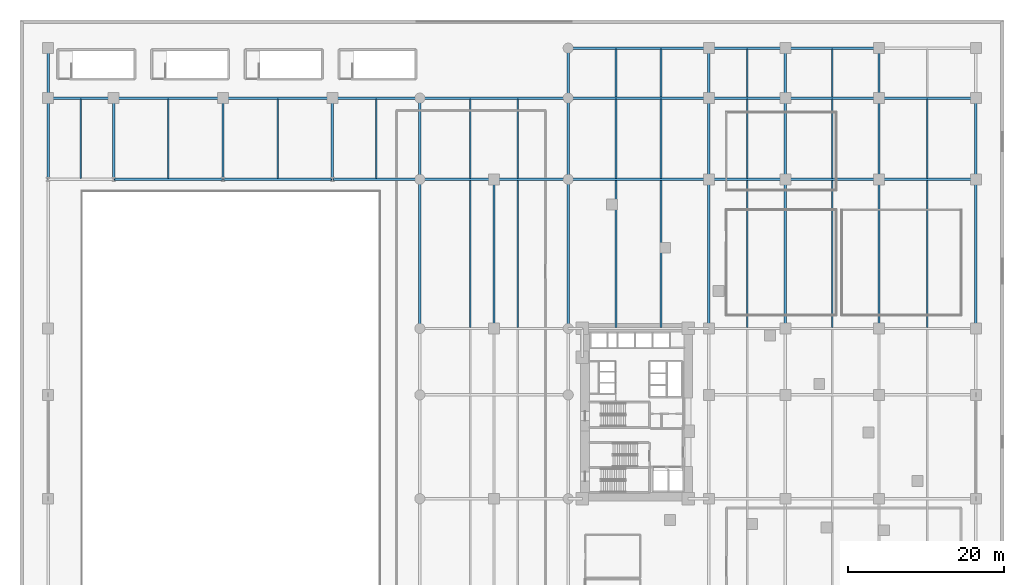
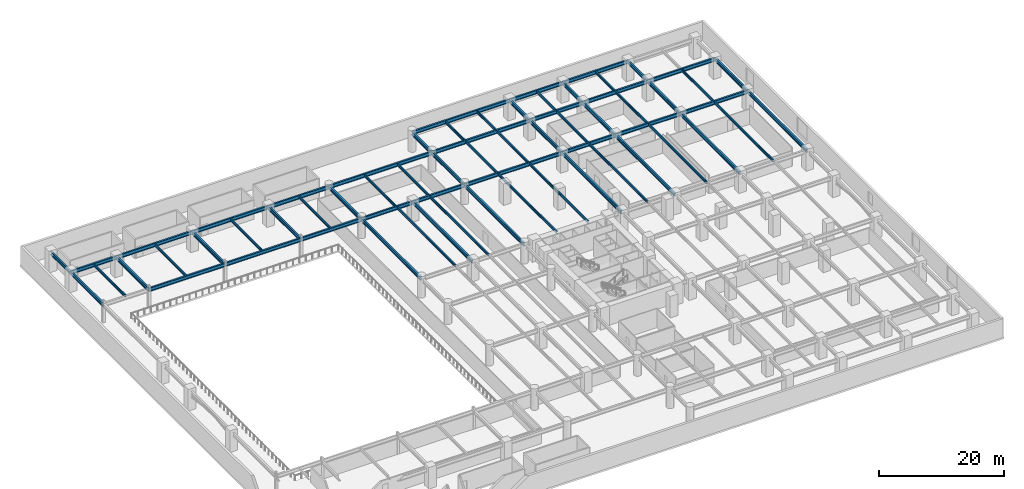
# One storey, part 6 of 20: 65 beams.
"""IFC4 building model written with IfcOpenShell, lengths in metres."""

from ifc_helpers import new_model, si_unit, direction, frame, origin, origin_2d, place, context, subcontext, project, spatial, i_section, extrude, material, material_profile, profile_set, type_object, element, save


model = new_model("IFC4")

# Units and contexts
model_context = context("Model", 3, precision=1e-05, world=origin(), true_north=direction((0.0, 1.0)))
body_context = subcontext(model_context, "Body", "Model", "MODEL_VIEW")
ifc_project = project(units=[si_unit("LENGTHUNIT", "METRE"), si_unit("AREAUNIT", "SQUARE_METRE"), si_unit("VOLUMEUNIT", "CUBIC_METRE"), si_unit("PLANEANGLEUNIT", "RADIAN"), si_unit("MASSUNIT", "GRAM", prefix="KILO")], contexts=[model_context])

# Site, building, storey
site_placement = place(None, origin())
site = spatial("IfcSite", under=ifc_project, at=site_placement, CompositionType="ELEMENT")
building_placement = place(site_placement, origin())
building = spatial("IfcBuilding", under=site, at=building_placement, Name="Narakoshi Arena Tower", CompositionType="ELEMENT")
storey_placement = place(building_placement, frame((0.0, 0.0, 17.39990234375)))
storey = spatial("IfcBuildingStorey", under=building, at=storey_placement, Name="L04", CompositionType="ELEMENT", Elevation=17.39990234375)

# Beams
ifc_material = material(Name="Structural steel S355J2", Category="steel")
ifc_material_profile_1 = material_profile(ifc_material, i_section(OverallWidth=0.300048828125, OverallDepth=0.699951171875, WebThickness=0.01708984375, FlangeThickness=0.031982421875, FilletRadius=0.027099609375, at=origin_2d()), Name="HE700B")
ifc_profile_set_1 = profile_set([ifc_material_profile_1], Name="Structural steel S355J2")
beam_type_1 = type_object("IfcBeamType", Name="BM-PRI-700", PredefinedType="BEAM", material=ifc_profile_set_1)
for number, where, z_axis, x_axis, name in (
    (1, (12.0, 75.60009765625, 3.35009765625), (1.0, 0.0, 0.0), (0.0, 1.0, 0.0), "L04 Podium Primary X-Girder 044"),
    (2, (26.0, 75.60009765625, 3.35009765625), (1.0, 0.0, 0.0), (0.0, 1.0, 0.0), "L04 Podium Primary X-Girder 045"),
):
    element("IfcBeam", number, at=place(storey_placement, frame(where, z_axis=z_axis, x_axis=x_axis)), inside=storey, type_object=beam_type_1, Name=name, PredefinedType="BEAM", context=body_context, shape_type="SweptSolid", body=[
        extrude(i_section(OverallWidth=0.300048828125, OverallDepth=0.699951171875, WebThickness=0.01708984375, FlangeThickness=0.031982421875, FilletRadius=0.027099609375, at=origin_2d()), origin(), (0.0, 0.0, 1.0), 14.0),
    ])
beam_1_placement = place(storey_placement, frame((40.0, 75.60009765625, 3.35009765625), z_axis=(1.0, 0.0, 0.0), x_axis=(0.0, 1.0, 0.0)))
element("IfcBeam", 3, at=beam_1_placement, inside=storey, type_object=beam_type_1, Name="L04 Podium Primary X-Girder 046", PredefinedType="BEAM", context=body_context, shape_type="SweptSolid", body=[
    extrude(i_section(OverallWidth=0.300048828125, OverallDepth=0.699951171875, WebThickness=0.01708984375, FlangeThickness=0.031982421875, FilletRadius=0.027099609375, at=origin_2d()), origin(), (0.0, 0.0, 1.0), 11.199951171875),
])
for number, where, z_axis, x_axis, name in (
    (4, (51.199951171875, 75.60009765625, 3.35009765625), (1.0, 0.0, 0.0), (0.0, 1.0, 0.0), "L04 Podium Primary X-Girder 047"),
    (5, (60.699951171875, 75.60009765625, 3.35009765625), (1.0, 0.0, 0.0), (0.0, 1.0, 0.0), "L04 Podium Primary X-Girder 048"),
):
    element("IfcBeam", number, at=place(storey_placement, frame(where, z_axis=z_axis, x_axis=x_axis)), inside=storey, type_object=beam_type_1, Name=name, PredefinedType="BEAM", context=body_context, shape_type="SweptSolid", body=[
        extrude(i_section(OverallWidth=0.300048828125, OverallDepth=0.699951171875, WebThickness=0.01708984375, FlangeThickness=0.031982421875, FilletRadius=0.027099609375, at=origin_2d()), origin(), (0.0, 0.0, 1.0), 9.5),
    ])
beam_2_placement = place(storey_placement, frame((70.199951171875, 75.60009765625, 3.35009765625), z_axis=(1.0, 0.0, 0.0), x_axis=(0.0, 1.0, 0.0)))
element("IfcBeam", 6, at=beam_2_placement, inside=storey, type_object=beam_type_1, Name="L04 Podium Primary X-Girder 049", PredefinedType="BEAM", context=body_context, shape_type="SweptSolid", body=[
    extrude(i_section(OverallWidth=0.300048828125, OverallDepth=0.699951171875, WebThickness=0.01708984375, FlangeThickness=0.031982421875, FilletRadius=0.027099609375, at=origin_2d()), origin(), (0.0, 0.0, 1.0), 18.0),
])
beam_3_placement = place(storey_placement, frame((88.199951171875, 75.60009765625, 3.35009765625), z_axis=(1.0, 0.0, 0.0), x_axis=(0.0, 1.0, 0.0)))
element("IfcBeam", 7, at=beam_3_placement, inside=storey, type_object=beam_type_1, Name="L04 Podium Primary X-Girder 050", PredefinedType="BEAM", context=body_context, shape_type="SweptSolid", body=[
    extrude(i_section(OverallWidth=0.300048828125, OverallDepth=0.699951171875, WebThickness=0.01708984375, FlangeThickness=0.031982421875, FilletRadius=0.027099609375, at=origin_2d()), origin(), (0.0, 0.0, 1.0), 9.800048828125),
])
beam_4_placement = place(storey_placement, frame((98.0, 75.60009765625, 3.35009765625), z_axis=(1.0, 0.0, 0.0), x_axis=(0.0, 1.0, 0.0)))
element("IfcBeam", 8, at=beam_4_placement, inside=storey, type_object=beam_type_1, Name="L04 Podium Primary X-Girder 051", PredefinedType="BEAM", context=body_context, shape_type="SweptSolid", body=[
    extrude(i_section(OverallWidth=0.300048828125, OverallDepth=0.699951171875, WebThickness=0.01708984375, FlangeThickness=0.031982421875, FilletRadius=0.027099609375, at=origin_2d()), origin(), (0.0, 0.0, 1.0), 12.0),
])
beam_5_placement = place(storey_placement, frame((110.0, 75.60009765625, 3.35009765625), z_axis=(1.0, 0.0, 0.0), x_axis=(0.0, 1.0, 0.0)))
element("IfcBeam", 9, at=beam_5_placement, inside=storey, type_object=beam_type_1, Name="L04 Podium Primary X-Girder 052", PredefinedType="BEAM", context=body_context, shape_type="SweptSolid", body=[
    extrude(i_section(OverallWidth=0.300048828125, OverallDepth=0.699951171875, WebThickness=0.01708984375, FlangeThickness=0.031982421875, FilletRadius=0.027099609375, at=origin_2d()), origin(), (0.0, 0.0, 1.0), 12.39990234375),
])
beam_6_placement = place(storey_placement, frame((3.60009765625, 86.0, 3.35009765625), z_axis=(1.0, 0.0, 0.0), x_axis=(0.0, 1.0, 0.0)))
element("IfcBeam", 10, at=beam_6_placement, inside=storey, type_object=beam_type_1, Name="L04 Podium Primary X-Girder 053", PredefinedType="BEAM", context=body_context, shape_type="SweptSolid", body=[
    extrude(i_section(OverallWidth=0.300048828125, OverallDepth=0.699951171875, WebThickness=0.01708984375, FlangeThickness=0.031982421875, FilletRadius=0.027099609375, at=origin_2d()), origin(), (0.0, 0.0, 1.0), 8.39990234375),
])
for number, where, z_axis, x_axis, name in (
    (11, (12.0, 86.0, 3.35009765625), (1.0, 0.0, 0.0), (0.0, 1.0, 0.0), "L04 Podium Primary X-Girder 054"),
    (12, (26.0, 86.0, 3.35009765625), (1.0, 0.0, 0.0), (0.0, 1.0, 0.0), "L04 Podium Primary X-Girder 055"),
):
    element("IfcBeam", number, at=place(storey_placement, frame(where, z_axis=z_axis, x_axis=x_axis)), inside=storey, type_object=beam_type_1, Name=name, PredefinedType="BEAM", context=body_context, shape_type="SweptSolid", body=[
        extrude(i_section(OverallWidth=0.300048828125, OverallDepth=0.699951171875, WebThickness=0.01708984375, FlangeThickness=0.031982421875, FilletRadius=0.027099609375, at=origin_2d()), origin(), (0.0, 0.0, 1.0), 14.0),
    ])
beam_7_placement = place(storey_placement, frame((40.0, 86.0, 3.35009765625), z_axis=(1.0, 0.0, 0.0), x_axis=(0.0, 1.0, 0.0)))
element("IfcBeam", 13, at=beam_7_placement, inside=storey, type_object=beam_type_1, Name="L04 Podium Primary X-Girder 056", PredefinedType="BEAM", context=body_context, shape_type="SweptSolid", body=[
    extrude(i_section(OverallWidth=0.300048828125, OverallDepth=0.699951171875, WebThickness=0.01708984375, FlangeThickness=0.031982421875, FilletRadius=0.027099609375, at=origin_2d()), origin(), (0.0, 0.0, 1.0), 11.199951171875),
])
beam_8_placement = place(storey_placement, frame((51.199951171875, 86.0, 3.35009765625), z_axis=(1.0, 0.0, 0.0), x_axis=(0.0, 1.0, 0.0)))
element("IfcBeam", 14, at=beam_8_placement, inside=storey, type_object=beam_type_1, Name="L04 Podium Primary X-Girder 057", PredefinedType="BEAM", context=body_context, shape_type="SweptSolid", body=[
    extrude(i_section(OverallWidth=0.300048828125, OverallDepth=0.699951171875, WebThickness=0.01708984375, FlangeThickness=0.031982421875, FilletRadius=0.027099609375, at=origin_2d()), origin(), (0.0, 0.0, 1.0), 19.0),
])
beam_9_placement = place(storey_placement, frame((70.199951171875, 86.0, 3.35009765625), z_axis=(1.0, 0.0, 0.0), x_axis=(0.0, 1.0, 0.0)))
element("IfcBeam", 15, at=beam_9_placement, inside=storey, type_object=beam_type_1, Name="L04 Podium Primary X-Girder 058", PredefinedType="BEAM", context=body_context, shape_type="SweptSolid", body=[
    extrude(i_section(OverallWidth=0.300048828125, OverallDepth=0.699951171875, WebThickness=0.01708984375, FlangeThickness=0.031982421875, FilletRadius=0.027099609375, at=origin_2d()), origin(), (0.0, 0.0, 1.0), 18.0),
])
beam_10_placement = place(storey_placement, frame((88.199951171875, 86.0, 3.35009765625), z_axis=(1.0, 0.0, 0.0), x_axis=(0.0, 1.0, 0.0)))
element("IfcBeam", 16, at=beam_10_placement, inside=storey, type_object=beam_type_1, Name="L04 Podium Primary X-Girder 059", PredefinedType="BEAM", context=body_context, shape_type="SweptSolid", body=[
    extrude(i_section(OverallWidth=0.300048828125, OverallDepth=0.699951171875, WebThickness=0.01708984375, FlangeThickness=0.031982421875, FilletRadius=0.027099609375, at=origin_2d()), origin(), (0.0, 0.0, 1.0), 9.800048828125),
])
beam_11_placement = place(storey_placement, frame((98.0, 86.0, 3.35009765625), z_axis=(1.0, 0.0, 0.0), x_axis=(0.0, 1.0, 0.0)))
element("IfcBeam", 17, at=beam_11_placement, inside=storey, type_object=beam_type_1, Name="L04 Podium Primary X-Girder 060", PredefinedType="BEAM", context=body_context, shape_type="SweptSolid", body=[
    extrude(i_section(OverallWidth=0.300048828125, OverallDepth=0.699951171875, WebThickness=0.01708984375, FlangeThickness=0.031982421875, FilletRadius=0.027099609375, at=origin_2d()), origin(), (0.0, 0.0, 1.0), 12.0),
])
beam_12_placement = place(storey_placement, frame((110.0, 86.0, 3.35009765625), z_axis=(1.0, 0.0, 0.0), x_axis=(0.0, 1.0, 0.0)))
element("IfcBeam", 18, at=beam_12_placement, inside=storey, type_object=beam_type_1, Name="L04 Podium Primary X-Girder 061", PredefinedType="BEAM", context=body_context, shape_type="SweptSolid", body=[
    extrude(i_section(OverallWidth=0.300048828125, OverallDepth=0.699951171875, WebThickness=0.01708984375, FlangeThickness=0.031982421875, FilletRadius=0.027099609375, at=origin_2d()), origin(), (0.0, 0.0, 1.0), 12.39990234375),
])
beam_13_placement = place(storey_placement, frame((70.199951171875, 92.39990234375, 3.35009765625), z_axis=(1.0, 0.0, 0.0), x_axis=(0.0, 1.0, 0.0)))
element("IfcBeam", 19, at=beam_13_placement, inside=storey, type_object=beam_type_1, Name="L04 Podium Primary X-Girder 062", PredefinedType="BEAM", context=body_context, shape_type="SweptSolid", body=[
    extrude(i_section(OverallWidth=0.300048828125, OverallDepth=0.699951171875, WebThickness=0.01708984375, FlangeThickness=0.031982421875, FilletRadius=0.027099609375, at=origin_2d()), origin(), (0.0, 0.0, 1.0), 18.0),
])
beam_14_placement = place(storey_placement, frame((88.199951171875, 92.39990234375, 3.35009765625), z_axis=(1.0, 0.0, 0.0), x_axis=(0.0, 1.0, 0.0)))
element("IfcBeam", 20, at=beam_14_placement, inside=storey, type_object=beam_type_1, Name="L04 Podium Primary X-Girder 063", PredefinedType="BEAM", context=body_context, shape_type="SweptSolid", body=[
    extrude(i_section(OverallWidth=0.300048828125, OverallDepth=0.699951171875, WebThickness=0.01708984375, FlangeThickness=0.031982421875, FilletRadius=0.027099609375, at=origin_2d()), origin(), (0.0, 0.0, 1.0), 9.800048828125),
])
beam_15_placement = place(storey_placement, frame((98.0, 92.39990234375, 3.35009765625), z_axis=(1.0, 0.0, 0.0), x_axis=(0.0, 1.0, 0.0)))
element("IfcBeam", 21, at=beam_15_placement, inside=storey, type_object=beam_type_1, Name="L04 Podium Primary X-Girder 064", PredefinedType="BEAM", context=body_context, shape_type="SweptSolid", body=[
    extrude(i_section(OverallWidth=0.300048828125, OverallDepth=0.699951171875, WebThickness=0.01708984375, FlangeThickness=0.031982421875, FilletRadius=0.027099609375, at=origin_2d()), origin(), (0.0, 0.0, 1.0), 12.0),
])
beam_16_placement = place(storey_placement, frame((3.60009765625, 75.60009765625, 3.35009765625), z_axis=(0.0, 1.0, 0.0), x_axis=(-1.0, 0.0, 0.0)))
element("IfcBeam", 22, at=beam_16_placement, inside=storey, type_object=beam_type_1, Name="L04 Podium Primary Y-Girder 072", PredefinedType="BEAM", context=body_context, shape_type="SweptSolid", body=[
    extrude(i_section(OverallWidth=0.300048828125, OverallDepth=0.699951171875, WebThickness=0.01708984375, FlangeThickness=0.031982421875, FilletRadius=0.027099609375, at=origin_2d()), origin(), (0.0, 0.0, 1.0), 10.39990234375),
])
beam_17_placement = place(storey_placement, frame((3.60009765625, 86.0, 3.35009765625), z_axis=(0.0, 1.0, 0.0), x_axis=(-1.0, 0.0, 0.0)))
element("IfcBeam", 23, at=beam_17_placement, inside=storey, type_object=beam_type_1, Name="L04 Podium Primary Y-Girder 073", PredefinedType="BEAM", context=body_context, shape_type="SweptSolid", body=[
    extrude(i_section(OverallWidth=0.300048828125, OverallDepth=0.699951171875, WebThickness=0.01708984375, FlangeThickness=0.031982421875, FilletRadius=0.027099609375, at=origin_2d()), origin(), (0.0, 0.0, 1.0), 6.39990234375),
])
for number, where, z_axis, x_axis, name in (
    (24, (12.0, 75.60009765625, 3.35009765625), (0.0, 1.0, 0.0), (-1.0, 0.0, 0.0), "L04 Podium Primary Y-Girder 075"),
    (25, (26.0, 75.60009765625, 3.35009765625), (0.0, 1.0, 0.0), (-1.0, 0.0, 0.0), "L04 Podium Primary Y-Girder 077"),
    (26, (40.0, 75.60009765625, 3.35009765625), (0.0, 1.0, 0.0), (-1.0, 0.0, 0.0), "L04 Podium Primary Y-Girder 079"),
):
    element("IfcBeam", number, at=place(storey_placement, frame(where, z_axis=z_axis, x_axis=x_axis)), inside=storey, type_object=beam_type_1, Name=name, PredefinedType="BEAM", context=body_context, shape_type="SweptSolid", body=[
        extrude(i_section(OverallWidth=0.300048828125, OverallDepth=0.699951171875, WebThickness=0.01708984375, FlangeThickness=0.031982421875, FilletRadius=0.027099609375, at=origin_2d()), origin(), (0.0, 0.0, 1.0), 10.39990234375),
    ])
beam_18_placement = place(storey_placement, frame((51.199951171875, 56.5, 3.35009765625), z_axis=(0.0, 1.0, 0.0), x_axis=(-1.0, 0.0, 0.0)))
element("IfcBeam", 27, at=beam_18_placement, inside=storey, type_object=beam_type_1, Name="L04 Podium Primary Y-Girder 084", PredefinedType="BEAM", context=body_context, shape_type="SweptSolid", body=[
    extrude(i_section(OverallWidth=0.300048828125, OverallDepth=0.699951171875, WebThickness=0.01708984375, FlangeThickness=0.031982421875, FilletRadius=0.027099609375, at=origin_2d()), origin(), (0.0, 0.0, 1.0), 19.10009765625),
])
beam_19_placement = place(storey_placement, frame((51.199951171875, 75.60009765625, 3.35009765625), z_axis=(0.0, 1.0, 0.0), x_axis=(-1.0, 0.0, 0.0)))
element("IfcBeam", 28, at=beam_19_placement, inside=storey, type_object=beam_type_1, Name="L04 Podium Primary Y-Girder 085", PredefinedType="BEAM", context=body_context, shape_type="SweptSolid", body=[
    extrude(i_section(OverallWidth=0.300048828125, OverallDepth=0.699951171875, WebThickness=0.01708984375, FlangeThickness=0.031982421875, FilletRadius=0.027099609375, at=origin_2d()), origin(), (0.0, 0.0, 1.0), 10.39990234375),
])
for number, where, z_axis, x_axis, name in (
    (29, (60.699951171875, 56.5, 3.35009765625), (0.0, 1.0, 0.0), (-1.0, 0.0, 0.0), "L04 Podium Primary Y-Girder 088"),
    (30, (70.199951171875, 56.5, 3.35009765625), (0.0, 1.0, 0.0), (-1.0, 0.0, 0.0), "L04 Podium Primary Y-Girder 094"),
):
    element("IfcBeam", number, at=place(storey_placement, frame(where, z_axis=z_axis, x_axis=x_axis)), inside=storey, type_object=beam_type_1, Name=name, PredefinedType="BEAM", context=body_context, shape_type="SweptSolid", body=[
        extrude(i_section(OverallWidth=0.300048828125, OverallDepth=0.699951171875, WebThickness=0.01708984375, FlangeThickness=0.031982421875, FilletRadius=0.027099609375, at=origin_2d()), origin(), (0.0, 0.0, 1.0), 19.10009765625),
    ])
beam_20_placement = place(storey_placement, frame((70.199951171875, 75.60009765625, 3.35009765625), z_axis=(0.0, 1.0, 0.0), x_axis=(-1.0, 0.0, 0.0)))
element("IfcBeam", 31, at=beam_20_placement, inside=storey, type_object=beam_type_1, Name="L04 Podium Primary Y-Girder 095", PredefinedType="BEAM", context=body_context, shape_type="SweptSolid", body=[
    extrude(i_section(OverallWidth=0.300048828125, OverallDepth=0.699951171875, WebThickness=0.01708984375, FlangeThickness=0.031982421875, FilletRadius=0.027099609375, at=origin_2d()), origin(), (0.0, 0.0, 1.0), 10.39990234375),
])
beam_21_placement = place(storey_placement, frame((70.199951171875, 86.0, 3.35009765625), z_axis=(0.0, 1.0, 0.0), x_axis=(-1.0, 0.0, 0.0)))
element("IfcBeam", 32, at=beam_21_placement, inside=storey, type_object=beam_type_1, Name="L04 Podium Primary Y-Girder 096", PredefinedType="BEAM", context=body_context, shape_type="SweptSolid", body=[
    extrude(i_section(OverallWidth=0.300048828125, OverallDepth=0.699951171875, WebThickness=0.01708984375, FlangeThickness=0.031982421875, FilletRadius=0.027099609375, at=origin_2d()), origin(), (0.0, 0.0, 1.0), 6.39990234375),
])
beam_22_placement = place(storey_placement, frame((88.199951171875, 56.5, 3.35009765625), z_axis=(0.0, 1.0, 0.0), x_axis=(-1.0, 0.0, 0.0)))
element("IfcBeam", 33, at=beam_22_placement, inside=storey, type_object=beam_type_1, Name="L04 Podium Primary Y-Girder 103", PredefinedType="BEAM", context=body_context, shape_type="SweptSolid", body=[
    extrude(i_section(OverallWidth=0.300048828125, OverallDepth=0.699951171875, WebThickness=0.01708984375, FlangeThickness=0.031982421875, FilletRadius=0.027099609375, at=origin_2d()), origin(), (0.0, 0.0, 1.0), 19.10009765625),
])
beam_23_placement = place(storey_placement, frame((88.199951171875, 75.60009765625, 3.35009765625), z_axis=(0.0, 1.0, 0.0), x_axis=(-1.0, 0.0, 0.0)))
element("IfcBeam", 34, at=beam_23_placement, inside=storey, type_object=beam_type_1, Name="L04 Podium Primary Y-Girder 104", PredefinedType="BEAM", context=body_context, shape_type="SweptSolid", body=[
    extrude(i_section(OverallWidth=0.300048828125, OverallDepth=0.699951171875, WebThickness=0.01708984375, FlangeThickness=0.031982421875, FilletRadius=0.027099609375, at=origin_2d()), origin(), (0.0, 0.0, 1.0), 10.39990234375),
])
beam_24_placement = place(storey_placement, frame((88.199951171875, 86.0, 3.35009765625), z_axis=(0.0, 1.0, 0.0), x_axis=(-1.0, 0.0, 0.0)))
element("IfcBeam", 35, at=beam_24_placement, inside=storey, type_object=beam_type_1, Name="L04 Podium Primary Y-Girder 105", PredefinedType="BEAM", context=body_context, shape_type="SweptSolid", body=[
    extrude(i_section(OverallWidth=0.300048828125, OverallDepth=0.699951171875, WebThickness=0.01708984375, FlangeThickness=0.031982421875, FilletRadius=0.027099609375, at=origin_2d()), origin(), (0.0, 0.0, 1.0), 6.39990234375),
])
beam_25_placement = place(storey_placement, frame((98.0, 56.5, 3.35009765625), z_axis=(0.0, 1.0, 0.0), x_axis=(-1.0, 0.0, 0.0)))
element("IfcBeam", 36, at=beam_25_placement, inside=storey, type_object=beam_type_1, Name="L04 Podium Primary Y-Girder 111", PredefinedType="BEAM", context=body_context, shape_type="SweptSolid", body=[
    extrude(i_section(OverallWidth=0.300048828125, OverallDepth=0.699951171875, WebThickness=0.01708984375, FlangeThickness=0.031982421875, FilletRadius=0.027099609375, at=origin_2d()), origin(), (0.0, 0.0, 1.0), 19.10009765625),
])
beam_26_placement = place(storey_placement, frame((98.0, 75.60009765625, 3.35009765625), z_axis=(0.0, 1.0, 0.0), x_axis=(-1.0, 0.0, 0.0)))
element("IfcBeam", 37, at=beam_26_placement, inside=storey, type_object=beam_type_1, Name="L04 Podium Primary Y-Girder 112", PredefinedType="BEAM", context=body_context, shape_type="SweptSolid", body=[
    extrude(i_section(OverallWidth=0.300048828125, OverallDepth=0.699951171875, WebThickness=0.01708984375, FlangeThickness=0.031982421875, FilletRadius=0.027099609375, at=origin_2d()), origin(), (0.0, 0.0, 1.0), 10.39990234375),
])
beam_27_placement = place(storey_placement, frame((98.0, 86.0, 3.35009765625), z_axis=(0.0, 1.0, 0.0), x_axis=(-1.0, 0.0, 0.0)))
element("IfcBeam", 38, at=beam_27_placement, inside=storey, type_object=beam_type_1, Name="L04 Podium Primary Y-Girder 113", PredefinedType="BEAM", context=body_context, shape_type="SweptSolid", body=[
    extrude(i_section(OverallWidth=0.300048828125, OverallDepth=0.699951171875, WebThickness=0.01708984375, FlangeThickness=0.031982421875, FilletRadius=0.027099609375, at=origin_2d()), origin(), (0.0, 0.0, 1.0), 6.39990234375),
])
beam_28_placement = place(storey_placement, frame((110.0, 56.5, 3.35009765625), z_axis=(0.0, 1.0, 0.0), x_axis=(-1.0, 0.0, 0.0)))
element("IfcBeam", 39, at=beam_28_placement, inside=storey, type_object=beam_type_1, Name="L04 Podium Primary Y-Girder 119", PredefinedType="BEAM", context=body_context, shape_type="SweptSolid", body=[
    extrude(i_section(OverallWidth=0.300048828125, OverallDepth=0.699951171875, WebThickness=0.01708984375, FlangeThickness=0.031982421875, FilletRadius=0.027099609375, at=origin_2d()), origin(), (0.0, 0.0, 1.0), 19.10009765625),
])
beam_29_placement = place(storey_placement, frame((110.0, 75.60009765625, 3.35009765625), z_axis=(0.0, 1.0, 0.0), x_axis=(-1.0, 0.0, 0.0)))
element("IfcBeam", 40, at=beam_29_placement, inside=storey, type_object=beam_type_1, Name="L04 Podium Primary Y-Girder 120", PredefinedType="BEAM", context=body_context, shape_type="SweptSolid", body=[
    extrude(i_section(OverallWidth=0.300048828125, OverallDepth=0.699951171875, WebThickness=0.01708984375, FlangeThickness=0.031982421875, FilletRadius=0.027099609375, at=origin_2d()), origin(), (0.0, 0.0, 1.0), 10.39990234375),
])
beam_30_placement = place(storey_placement, frame((110.0, 86.0, 3.35009765625), z_axis=(0.0, 1.0, 0.0), x_axis=(-1.0, 0.0, 0.0)))
element("IfcBeam", 41, at=beam_30_placement, inside=storey, type_object=beam_type_1, Name="L04 Podium Primary Y-Girder 121", PredefinedType="BEAM", context=body_context, shape_type="SweptSolid", body=[
    extrude(i_section(OverallWidth=0.300048828125, OverallDepth=0.699951171875, WebThickness=0.01708984375, FlangeThickness=0.031982421875, FilletRadius=0.027099609375, at=origin_2d()), origin(), (0.0, 0.0, 1.0), 6.39990234375),
])
beam_31_placement = place(storey_placement, frame((122.39990234375, 56.5, 3.35009765625), z_axis=(0.0, 1.0, 0.0), x_axis=(-1.0, 0.0, 0.0)))
element("IfcBeam", 42, at=beam_31_placement, inside=storey, type_object=beam_type_1, Name="L04 Podium Primary Y-Girder 127", PredefinedType="BEAM", context=body_context, shape_type="SweptSolid", body=[
    extrude(i_section(OverallWidth=0.300048828125, OverallDepth=0.699951171875, WebThickness=0.01708984375, FlangeThickness=0.031982421875, FilletRadius=0.027099609375, at=origin_2d()), origin(), (0.0, 0.0, 1.0), 19.10009765625),
])
beam_32_placement = place(storey_placement, frame((122.39990234375, 75.60009765625, 3.35009765625), z_axis=(0.0, 1.0, 0.0), x_axis=(-1.0, 0.0, 0.0)))
element("IfcBeam", 43, at=beam_32_placement, inside=storey, type_object=beam_type_1, Name="L04 Podium Primary Y-Girder 128", PredefinedType="BEAM", context=body_context, shape_type="SweptSolid", body=[
    extrude(i_section(OverallWidth=0.300048828125, OverallDepth=0.699951171875, WebThickness=0.01708984375, FlangeThickness=0.031982421875, FilletRadius=0.027099609375, at=origin_2d()), origin(), (0.0, 0.0, 1.0), 10.39990234375),
])
ifc_material_profile_2 = material_profile(ifc_material, i_section(OverallWidth=0.199951171875, OverallDepth=0.5, WebThickness=0.01025390625, FlangeThickness=0.01611328125, FilletRadius=0.02099609375, at=origin_2d()), Name="IPE500")
ifc_profile_set_2 = profile_set([ifc_material_profile_2], Name="Structural steel S355J2")
beam_type_2 = type_object("IfcBeamType", Name="BM-SEC-500", PredefinedType="JOIST", material=ifc_profile_set_2)
for number, where, z_axis, x_axis, name in (
    (44, (7.800048828125, 75.735107421875, 3.4501953125), (0.0, 1.0, 0.0), (-1.0, 0.0, 0.0), "L04 Podium Composite Floor Joist 002"),
    (45, (19.0, 75.735107421875, 3.4501953125), (0.0, 1.0, 0.0), (-1.0, 0.0, 0.0), "L04 Podium Composite Floor Joist 004"),
    (46, (33.0, 75.735107421875, 3.4501953125), (0.0, 1.0, 0.0), (-1.0, 0.0, 0.0), "L04 Podium Composite Floor Joist 006"),
    (47, (45.60009765625, 75.735107421875, 3.4501953125), (0.0, 1.0, 0.0), (-1.0, 0.0, 0.0), "L04 Podium Composite Floor Joist 008"),
):
    element("IfcBeam", number, at=place(storey_placement, frame(where, z_axis=z_axis, x_axis=x_axis)), inside=storey, type_object=beam_type_2, Name=name, PredefinedType="JOIST", context=body_context, shape_type="SweptSolid", body=[
        extrude(i_section(OverallWidth=0.199951171875, OverallDepth=0.5, WebThickness=0.01025390625, FlangeThickness=0.01611328125, FilletRadius=0.02099609375, at=origin_2d()), origin(), (0.0, 0.0, 1.0), 10.1298828125),
    ])
beam_33_placement = place(storey_placement, frame((57.659912109375, 56.635009765625, 3.4501953125), z_axis=(0.0, 1.0, 0.0), x_axis=(-1.0, 0.0, 0.0)))
element("IfcBeam", 48, at=beam_33_placement, inside=storey, type_object=beam_type_2, Name="L04 Podium Composite Floor Joist 013", PredefinedType="JOIST", context=body_context, shape_type="SweptSolid", body=[
    extrude(i_section(OverallWidth=0.199951171875, OverallDepth=0.5, WebThickness=0.01025390625, FlangeThickness=0.01611328125, FilletRadius=0.02099609375, at=origin_2d()), origin(), (0.0, 0.0, 1.0), 18.830078125),
])
beam_34_placement = place(storey_placement, frame((57.659912109375, 75.735107421875, 3.4501953125), z_axis=(0.0, 1.0, 0.0), x_axis=(-1.0, 0.0, 0.0)))
element("IfcBeam", 49, at=beam_34_placement, inside=storey, type_object=beam_type_2, Name="L04 Podium Composite Floor Joist 014", PredefinedType="JOIST", context=body_context, shape_type="SweptSolid", body=[
    extrude(i_section(OverallWidth=0.199951171875, OverallDepth=0.5, WebThickness=0.01025390625, FlangeThickness=0.01611328125, FilletRadius=0.02099609375, at=origin_2d()), origin(), (0.0, 0.0, 1.0), 10.1298828125),
])
beam_35_placement = place(storey_placement, frame((63.739990234375, 56.635009765625, 3.4501953125), z_axis=(0.0, 1.0, 0.0), x_axis=(-1.0, 0.0, 0.0)))
element("IfcBeam", 50, at=beam_35_placement, inside=storey, type_object=beam_type_2, Name="L04 Podium Composite Floor Joist 019", PredefinedType="JOIST", context=body_context, shape_type="SweptSolid", body=[
    extrude(i_section(OverallWidth=0.199951171875, OverallDepth=0.5, WebThickness=0.01025390625, FlangeThickness=0.01611328125, FilletRadius=0.02099609375, at=origin_2d()), origin(), (0.0, 0.0, 1.0), 18.830078125),
])
beam_36_placement = place(storey_placement, frame((63.739990234375, 75.735107421875, 3.4501953125), z_axis=(0.0, 1.0, 0.0), x_axis=(-1.0, 0.0, 0.0)))
element("IfcBeam", 51, at=beam_36_placement, inside=storey, type_object=beam_type_2, Name="L04 Podium Composite Floor Joist 020", PredefinedType="JOIST", context=body_context, shape_type="SweptSolid", body=[
    extrude(i_section(OverallWidth=0.199951171875, OverallDepth=0.5, WebThickness=0.01025390625, FlangeThickness=0.01611328125, FilletRadius=0.02099609375, at=origin_2d()), origin(), (0.0, 0.0, 1.0), 10.1298828125),
])
beam_37_placement = place(storey_placement, frame((76.320068359375, 56.635009765625, 3.4501953125), z_axis=(0.0, 1.0, 0.0), x_axis=(-1.0, 0.0, 0.0)))
element("IfcBeam", 52, at=beam_37_placement, inside=storey, type_object=beam_type_2, Name="L04 Podium Composite Floor Joist 023", PredefinedType="JOIST", context=body_context, shape_type="SweptSolid", body=[
    extrude(i_section(OverallWidth=0.199951171875, OverallDepth=0.5, WebThickness=0.01025390625, FlangeThickness=0.01611328125, FilletRadius=0.02099609375, at=origin_2d()), origin(), (0.0, 0.0, 1.0), 18.830078125),
])
beam_38_placement = place(storey_placement, frame((76.320068359375, 75.735107421875, 3.4501953125), z_axis=(0.0, 1.0, 0.0), x_axis=(-1.0, 0.0, 0.0)))
element("IfcBeam", 53, at=beam_38_placement, inside=storey, type_object=beam_type_2, Name="L04 Podium Composite Floor Joist 024", PredefinedType="JOIST", context=body_context, shape_type="SweptSolid", body=[
    extrude(i_section(OverallWidth=0.199951171875, OverallDepth=0.5, WebThickness=0.01025390625, FlangeThickness=0.01611328125, FilletRadius=0.02099609375, at=origin_2d()), origin(), (0.0, 0.0, 1.0), 10.1298828125),
])
beam_39_placement = place(storey_placement, frame((76.320068359375, 86.135009765625, 3.4501953125), z_axis=(0.0, 1.0, 0.0), x_axis=(-1.0, 0.0, 0.0)))
element("IfcBeam", 54, at=beam_39_placement, inside=storey, type_object=beam_type_2, Name="L04 Podium Composite Floor Joist 025", PredefinedType="JOIST", context=body_context, shape_type="SweptSolid", body=[
    extrude(i_section(OverallWidth=0.199951171875, OverallDepth=0.5, WebThickness=0.01025390625, FlangeThickness=0.01611328125, FilletRadius=0.02099609375, at=origin_2d()), origin(), (0.0, 0.0, 1.0), 6.1298828125),
])
beam_40_placement = place(storey_placement, frame((82.080078125, 56.635009765625, 3.4501953125), z_axis=(0.0, 1.0, 0.0), x_axis=(-1.0, 0.0, 0.0)))
element("IfcBeam", 55, at=beam_40_placement, inside=storey, type_object=beam_type_2, Name="L04 Podium Composite Floor Joist 028", PredefinedType="JOIST", context=body_context, shape_type="SweptSolid", body=[
    extrude(i_section(OverallWidth=0.199951171875, OverallDepth=0.5, WebThickness=0.01025390625, FlangeThickness=0.01611328125, FilletRadius=0.02099609375, at=origin_2d()), origin(), (0.0, 0.0, 1.0), 18.830078125),
])
beam_41_placement = place(storey_placement, frame((82.080078125, 75.735107421875, 3.4501953125), z_axis=(0.0, 1.0, 0.0), x_axis=(-1.0, 0.0, 0.0)))
element("IfcBeam", 56, at=beam_41_placement, inside=storey, type_object=beam_type_2, Name="L04 Podium Composite Floor Joist 029", PredefinedType="JOIST", context=body_context, shape_type="SweptSolid", body=[
    extrude(i_section(OverallWidth=0.199951171875, OverallDepth=0.5, WebThickness=0.01025390625, FlangeThickness=0.01611328125, FilletRadius=0.02099609375, at=origin_2d()), origin(), (0.0, 0.0, 1.0), 10.1298828125),
])
beam_42_placement = place(storey_placement, frame((82.080078125, 86.135009765625, 3.4501953125), z_axis=(0.0, 1.0, 0.0), x_axis=(-1.0, 0.0, 0.0)))
element("IfcBeam", 57, at=beam_42_placement, inside=storey, type_object=beam_type_2, Name="L04 Podium Composite Floor Joist 030", PredefinedType="JOIST", context=body_context, shape_type="SweptSolid", body=[
    extrude(i_section(OverallWidth=0.199951171875, OverallDepth=0.5, WebThickness=0.01025390625, FlangeThickness=0.01611328125, FilletRadius=0.02099609375, at=origin_2d()), origin(), (0.0, 0.0, 1.0), 6.1298828125),
])
beam_43_placement = place(storey_placement, frame((93.10009765625, 56.635009765625, 3.4501953125), z_axis=(0.0, 1.0, 0.0), x_axis=(-1.0, 0.0, 0.0)))
element("IfcBeam", 58, at=beam_43_placement, inside=storey, type_object=beam_type_2, Name="L04 Podium Composite Floor Joist 036", PredefinedType="JOIST", context=body_context, shape_type="SweptSolid", body=[
    extrude(i_section(OverallWidth=0.199951171875, OverallDepth=0.5, WebThickness=0.01025390625, FlangeThickness=0.01611328125, FilletRadius=0.02099609375, at=origin_2d()), origin(), (0.0, 0.0, 1.0), 18.830078125),
])
beam_44_placement = place(storey_placement, frame((93.10009765625, 75.735107421875, 3.4501953125), z_axis=(0.0, 1.0, 0.0), x_axis=(-1.0, 0.0, 0.0)))
element("IfcBeam", 59, at=beam_44_placement, inside=storey, type_object=beam_type_2, Name="L04 Podium Composite Floor Joist 037", PredefinedType="JOIST", context=body_context, shape_type="SweptSolid", body=[
    extrude(i_section(OverallWidth=0.199951171875, OverallDepth=0.5, WebThickness=0.01025390625, FlangeThickness=0.01611328125, FilletRadius=0.02099609375, at=origin_2d()), origin(), (0.0, 0.0, 1.0), 10.1298828125),
])
beam_45_placement = place(storey_placement, frame((93.10009765625, 86.135009765625, 3.4501953125), z_axis=(0.0, 1.0, 0.0), x_axis=(-1.0, 0.0, 0.0)))
element("IfcBeam", 60, at=beam_45_placement, inside=storey, type_object=beam_type_2, Name="L04 Podium Composite Floor Joist 038", PredefinedType="JOIST", context=body_context, shape_type="SweptSolid", body=[
    extrude(i_section(OverallWidth=0.199951171875, OverallDepth=0.5, WebThickness=0.01025390625, FlangeThickness=0.01611328125, FilletRadius=0.02099609375, at=origin_2d()), origin(), (0.0, 0.0, 1.0), 6.1298828125),
])
beam_46_placement = place(storey_placement, frame((104.0, 56.635009765625, 3.4501953125), z_axis=(0.0, 1.0, 0.0), x_axis=(-1.0, 0.0, 0.0)))
element("IfcBeam", 61, at=beam_46_placement, inside=storey, type_object=beam_type_2, Name="L04 Podium Composite Floor Joist 044", PredefinedType="JOIST", context=body_context, shape_type="SweptSolid", body=[
    extrude(i_section(OverallWidth=0.199951171875, OverallDepth=0.5, WebThickness=0.01025390625, FlangeThickness=0.01611328125, FilletRadius=0.02099609375, at=origin_2d()), origin(), (0.0, 0.0, 1.0), 18.830078125),
])
beam_47_placement = place(storey_placement, frame((104.0, 75.735107421875, 3.4501953125), z_axis=(0.0, 1.0, 0.0), x_axis=(-1.0, 0.0, 0.0)))
element("IfcBeam", 62, at=beam_47_placement, inside=storey, type_object=beam_type_2, Name="L04 Podium Composite Floor Joist 045", PredefinedType="JOIST", context=body_context, shape_type="SweptSolid", body=[
    extrude(i_section(OverallWidth=0.199951171875, OverallDepth=0.5, WebThickness=0.01025390625, FlangeThickness=0.01611328125, FilletRadius=0.02099609375, at=origin_2d()), origin(), (0.0, 0.0, 1.0), 10.1298828125),
])
beam_48_placement = place(storey_placement, frame((104.0, 86.135009765625, 3.4501953125), z_axis=(0.0, 1.0, 0.0), x_axis=(-1.0, 0.0, 0.0)))
element("IfcBeam", 63, at=beam_48_placement, inside=storey, type_object=beam_type_2, Name="L04 Podium Composite Floor Joist 046", PredefinedType="JOIST", context=body_context, shape_type="SweptSolid", body=[
    extrude(i_section(OverallWidth=0.199951171875, OverallDepth=0.5, WebThickness=0.01025390625, FlangeThickness=0.01611328125, FilletRadius=0.02099609375, at=origin_2d()), origin(), (0.0, 0.0, 1.0), 6.1298828125),
])
beam_49_placement = place(storey_placement, frame((116.199951171875, 56.635009765625, 3.4501953125), z_axis=(0.0, 1.0, 0.0), x_axis=(-1.0, 0.0, 0.0)))
element("IfcBeam", 64, at=beam_49_placement, inside=storey, type_object=beam_type_2, Name="L04 Podium Composite Floor Joist 052", PredefinedType="JOIST", context=body_context, shape_type="SweptSolid", body=[
    extrude(i_section(OverallWidth=0.199951171875, OverallDepth=0.5, WebThickness=0.01025390625, FlangeThickness=0.01611328125, FilletRadius=0.02099609375, at=origin_2d()), origin(), (0.0, 0.0, 1.0), 18.830078125),
])
beam_50_placement = place(storey_placement, frame((116.199951171875, 75.735107421875, 3.4501953125), z_axis=(0.0, 1.0, 0.0), x_axis=(-1.0, 0.0, 0.0)))
element("IfcBeam", 65, at=beam_50_placement, inside=storey, type_object=beam_type_2, Name="L04 Podium Composite Floor Joist 053", PredefinedType="JOIST", context=body_context, shape_type="SweptSolid", body=[
    extrude(i_section(OverallWidth=0.199951171875, OverallDepth=0.5, WebThickness=0.01025390625, FlangeThickness=0.01611328125, FilletRadius=0.02099609375, at=origin_2d()), origin(), (0.0, 0.0, 1.0), 10.1298828125),
])

save(model, "model.ifc")
